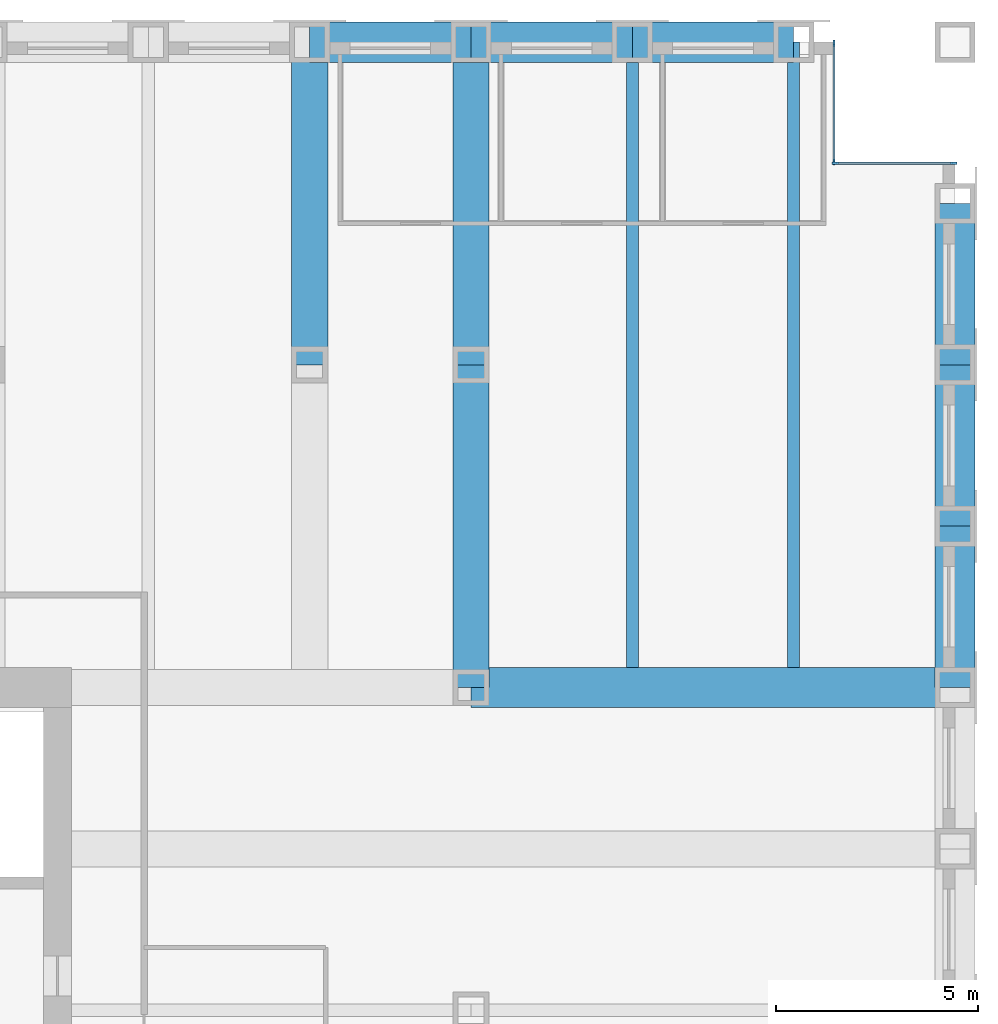
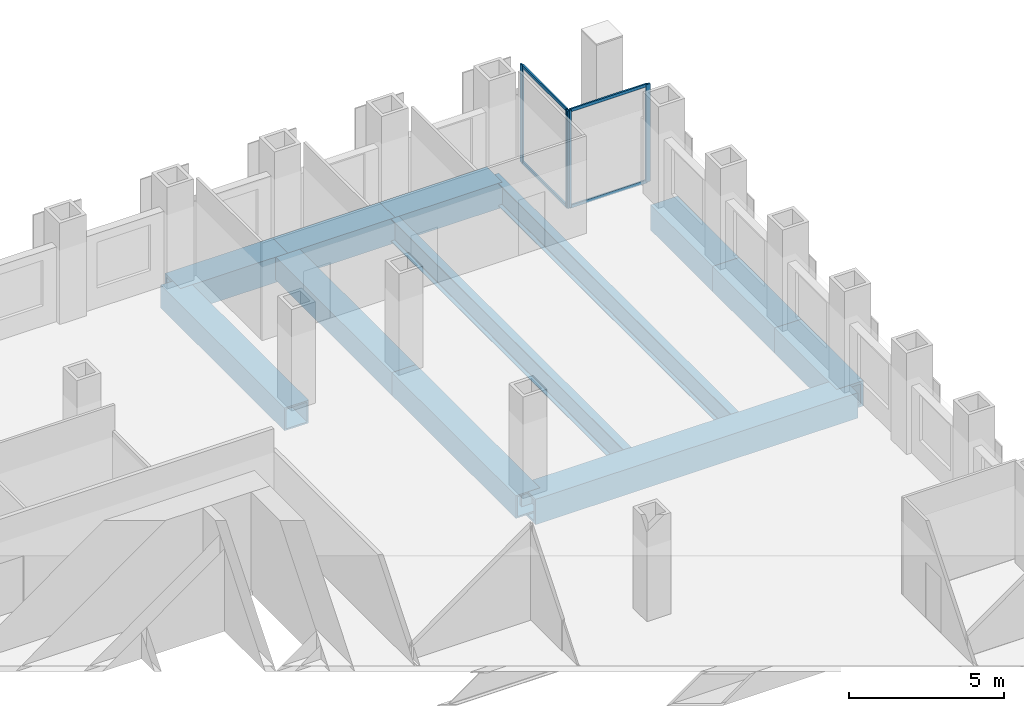
# One storey, part 9 of 16: 12 beams, 8 members, 2 elements without a shape of their own.
"""IFC4 building model written with IfcOpenShell, lengths in metres."""

from ifc_helpers import new_model, si_unit, direction, frame, origin, origin_2d, place, context, subcontext, project, spatial, rectangle, hollow_rectangle, i_section, extrude, material, material_profile, profile_set, type_object, element, aggregate, save


model = new_model("IFC4")

# Units and contexts
model_context = context("Model", 3, precision=1e-05, world=origin(), true_north=direction((0.0, 1.0)))
body_context = subcontext(model_context, "Body", "Model", "MODEL_VIEW")
ifc_project = project(units=[si_unit("LENGTHUNIT", "METRE"), si_unit("AREAUNIT", "SQUARE_METRE"), si_unit("VOLUMEUNIT", "CUBIC_METRE"), si_unit("PLANEANGLEUNIT", "RADIAN"), si_unit("MASSUNIT", "GRAM", prefix="KILO")], contexts=[model_context])

# Site, building, storey
site_placement = place(None, origin())
site = spatial("IfcSite", under=ifc_project, at=site_placement, CompositionType="ELEMENT")
building_placement = place(site_placement, origin())
building = spatial("IfcBuilding", under=site, at=building_placement, Name="Rimbunsela Tower", CompositionType="ELEMENT")
storey_placement = place(building_placement, frame((0.0, 0.0, 133.39990234375)))
storey = spatial("IfcBuildingStorey", under=building, at=storey_placement, Name="L32", CompositionType="ELEMENT", Elevation=133.39990234375)

# Beams
ifc_material_1 = material(Name="Steel BJ 55 (fy 410 MPa)", Category="steel")
ifc_material_profile_1 = material_profile(ifc_material_1, hollow_rectangle(XDim=1.0, YDim=1.0, WallThickness=0.10009765625, at=origin_2d()), Name="BOX 1000x1000x100")
ifc_profile_set_1 = profile_set([ifc_material_profile_1], Name="Steel BJ 55 (fy 410 MPa)")
beam_type_1 = type_object("IfcBeamType", Name="Beam BOX 1000x1000x100", PredefinedType="BEAM", material=ifc_profile_set_1)
beam_1_placement = place(storey_placement, frame((42.0, 52.0, -0.64990234375), z_axis=(1.0, 0.0, 0.0), x_axis=(0.0, 1.0, 0.0)))
element("IfcBeam", 1, at=beam_1_placement, inside=storey, type_object=beam_type_1, Name="Beam B3 L32", PredefinedType="BEAM", context=body_context, shape_type="SweptSolid", body=[
    extrude(hollow_rectangle(XDim=1.0, YDim=1.0, WallThickness=0.10009765625, at=origin_2d()), origin(), (0.0, 0.0, 1.0), 4.0),
])
beam_2_placement = place(storey_placement, frame((46.0, 36.0, -0.64990234375), z_axis=(1.0, 0.0, 0.0), x_axis=(0.0, 1.0, 0.0)))
element("IfcBeam", 2, at=beam_2_placement, inside=storey, type_object=beam_type_1, Name="Beam B3 L32", PredefinedType="BEAM", context=body_context, shape_type="SweptSolid", body=[
    extrude(hollow_rectangle(XDim=1.0, YDim=1.0, WallThickness=0.10009765625, at=origin_2d()), origin(), (0.0, 0.0, 1.0), 12.0),
])
for number, where, z_axis, x_axis, name in (
    (3, (46.0, 52.0, -0.64990234375), (1.0, 0.0, 0.0), (0.0, 1.0, 0.0), "Beam B3 L32"),
    (4, (50.0, 52.0, -0.64990234375), (1.0, 0.0, 0.0), (0.0, 1.0, 0.0), "Beam B3 L32"),
    (5, (58.0, 36.0, -0.64990234375), (0.0, 1.0, 0.0), (-1.0, 0.0, 0.0), "Beam B3 L32"),
    (6, (58.0, 40.0, -0.64990234375), (0.0, 1.0, 0.0), (-1.0, 0.0, 0.0), "Beam B3 L32"),
    (7, (58.0, 44.0, -0.64990234375), (0.0, 1.0, 0.0), (-1.0, 0.0, 0.0), "Beam B3 L32"),
):
    element("IfcBeam", number, at=place(storey_placement, frame(where, z_axis=z_axis, x_axis=x_axis)), inside=storey, type_object=beam_type_1, Name=name, PredefinedType="BEAM", context=body_context, shape_type="SweptSolid", body=[
        extrude(hollow_rectangle(XDim=1.0, YDim=1.0, WallThickness=0.10009765625, at=origin_2d()), origin(), (0.0, 0.0, 1.0), 4.0),
    ])
ifc_material_2 = material(Name="Steel BJ 55 (fy 410 MPa)", Category="steel")
ifc_material_profile_2 = material_profile(ifc_material_2, hollow_rectangle(XDim=0.89990234375, YDim=0.89990234375, WallThickness=0.06005859375, at=origin_2d()), Name="BOX 900x900x60")
ifc_profile_set_2 = profile_set([ifc_material_profile_2], Name="Steel BJ 55 (fy 410 MPa)")
beam_type_2 = type_object("IfcBeamType", Name="Beam BOX 900x900x60", PredefinedType="BEAM", material=ifc_profile_set_2)
for number, where, z_axis, x_axis, name in (
    (8, (42.0, 44.0, -0.599853515625), (0.0, 1.0, 0.0), (-1.0, 0.0, 0.0), "Beam B1 L32"),
    (9, (46.0, 36.0, -0.599853515625), (0.0, 1.0, 0.0), (-1.0, 0.0, 0.0), "Beam B1 L32"),
    (10, (46.0, 44.0, -0.599853515625), (0.0, 1.0, 0.0), (-1.0, 0.0, 0.0), "Beam B1 L32"),
):
    element("IfcBeam", number, at=place(storey_placement, frame(where, z_axis=z_axis, x_axis=x_axis)), inside=storey, type_object=beam_type_2, Name=name, PredefinedType="BEAM", context=body_context, shape_type="SweptSolid", body=[
        extrude(hollow_rectangle(XDim=0.89990234375, YDim=0.89990234375, WallThickness=0.06005859375, at=origin_2d()), origin(), (0.0, 0.0, 1.0), 8.0),
    ])
ifc_material_3 = material(Name="Steel BJ 55 (fy 410 MPa)", Category="steel")
ifc_material_profile_3 = material_profile(ifc_material_3, i_section(OverallWidth=0.300048828125, OverallDepth=0.89990234375, WebThickness=0.01611328125, FlangeThickness=0.028076171875, FilletRadius=0.028076171875, at=origin_2d()), Name="H 900x300x16x28")
ifc_profile_set_3 = profile_set([ifc_material_profile_3], Name="Steel BJ 55 (fy 410 MPa)")
beam_type_3 = type_object("IfcBeamType", Name="Beam H 900x300x16x28", PredefinedType="BEAM", material=ifc_profile_set_3)
for number, where, z_axis, x_axis, name in (
    (11, (50.0, 36.5, -0.599853515625), (0.0, 1.0, 0.0), (-1.0, 0.0, 0.0), "Beam B2 L32"),
    (12, (54.0, 36.5, -0.599853515625), (0.0, 1.0, 0.0), (-1.0, 0.0, 0.0), "Beam B2 L32"),
):
    element("IfcBeam", number, at=place(storey_placement, frame(where, z_axis=z_axis, x_axis=x_axis)), inside=storey, type_object=beam_type_3, Name=name, PredefinedType="BEAM", context=body_context, shape_type="SweptSolid", body=[
        extrude(i_section(OverallWidth=0.300048828125, OverallDepth=0.89990234375, WebThickness=0.01611328125, FlangeThickness=0.028076171875, FilletRadius=0.028076171875, at=origin_2d()), origin(), (0.0, 0.0, 1.0), 15.5),
    ])

# Curtain wall, members
ifc_material_4 = material(Name="Aluminium curtain wall", Category="aluminium")
curtain_wall_type = type_object("IfcCurtainWallType", Name="Corner glazing", PredefinedType="USERDEFINED", material=ifc_material_4)
curtain_wall_1_placement = place(storey_placement, origin())
curtain_wall_1 = element("IfcCurtainWall", 13, at=curtain_wall_1_placement, inside=storey, type_object=curtain_wall_type, Name="Corner glazing L32", ObjectType="CORNER GLAZING", PredefinedType="USERDEFINED")
ifc_material_5 = material(Name="Aluminium mullion", Category="aluminium")
ifc_material_profile_4 = material_profile(ifc_material_5, rectangle(XDim=0.06005859375, YDim=0.159912109375, at=origin_2d()), Name="Mullion 60x160")
ifc_profile_set_4 = profile_set([ifc_material_profile_4], Name="Aluminium mullion")
member_type_1 = type_object("IfcMemberType", Name="Curtain wall mullion 60x160", PredefinedType="MULLION", material=ifc_profile_set_4)
member_1_placement = place(storey_placement, frame((57.969970703125, 49.0, 0.0), z_axis=(0.0, 0.0, 1.0), x_axis=(0.0, -1.0, 0.0)))
member_1 = element("IfcMember", 14, at=member_1_placement, type_object=member_type_1, Name="CW5 mullion 1", PredefinedType="MULLION", context=body_context, shape_type="SweptSolid", body=[
    extrude(rectangle(XDim=0.06005859375, YDim=0.159912109375, at=origin_2d()), origin(), (0.0, 0.0, 1.0), 3.85009765625),
])
member_2_placement = place(storey_placement, frame((55.030029296875, 49.0, 0.0), z_axis=(0.0, 0.0, 1.0), x_axis=(0.0, -1.0, 0.0)))
member_2 = element("IfcMember", 15, at=member_2_placement, type_object=member_type_1, Name="CW5 mullion 2", PredefinedType="MULLION", context=body_context, shape_type="SweptSolid", body=[
    extrude(rectangle(XDim=0.06005859375, YDim=0.159912109375, at=origin_2d()), origin(), (0.0, 0.0, 1.0), 3.85009765625),
])

curtain_wall_2_placement = place(storey_placement, origin())
curtain_wall_2 = element("IfcCurtainWall", 16, at=curtain_wall_2_placement, inside=storey, type_object=curtain_wall_type, Name="Corner glazing L32", ObjectType="CORNER GLAZING", PredefinedType="USERDEFINED")
member_3_placement = place(storey_placement, frame((55.0, 49.030029296875, 0.0), z_axis=(0.0, 0.0, 1.0), x_axis=(-1.0, 0.0, 0.0)))
member_3 = element("IfcMember", 17, at=member_3_placement, type_object=member_type_1, Name="CW5 mullion 1", PredefinedType="MULLION", context=body_context, shape_type="SweptSolid", body=[
    extrude(rectangle(XDim=0.06005859375, YDim=0.159912109375, at=origin_2d()), origin(), (0.0, 0.0, 1.0), 3.85009765625),
])
member_4_placement = place(storey_placement, frame((55.0, 51.969970703125, 0.0), z_axis=(0.0, 0.0, 1.0), x_axis=(-1.0, 0.0, 0.0)))
member_4 = element("IfcMember", 18, at=member_4_placement, type_object=member_type_1, Name="CW5 mullion 2", PredefinedType="MULLION", context=body_context, shape_type="SweptSolid", body=[
    extrude(rectangle(XDim=0.06005859375, YDim=0.159912109375, at=origin_2d()), origin(), (0.0, 0.0, 1.0), 3.85009765625),
])

# Member
ifc_material_6 = material(Name="Aluminium transom", Category="aluminium")
ifc_material_profile_5 = material_profile(ifc_material_6, rectangle(XDim=0.06005859375, YDim=0.1201171875, at=origin_2d()), Name="Transom 60x120")
ifc_profile_set_5 = profile_set([ifc_material_profile_5], Name="Aluminium transom")
member_type_2 = type_object("IfcMemberType", Name="Curtain wall transom 60x120", PredefinedType="USERDEFINED", material=ifc_profile_set_5)
member_5_placement = place(storey_placement, frame((57.93994140625, 49.0, 0.030029296875), z_axis=(-1.0, 0.0, 0.0), x_axis=(0.0, -1.0, 0.0)))
member_5 = element("IfcMember", 19, at=member_5_placement, type_object=member_type_2, Name="CW5 transom 1.1", ObjectType="TRANSOM", PredefinedType="USERDEFINED", context=body_context, shape_type="SweptSolid", body=[
    extrude(rectangle(XDim=0.06005859375, YDim=0.1201171875, at=origin_2d()), origin(), (0.0, 0.0, 1.0), 2.8798828125),
])

member_6_placement = place(storey_placement, frame((57.93994140625, 49.0, 3.820068359375), z_axis=(-1.0, 0.0, 0.0), x_axis=(0.0, -1.0, 0.0)))
member_6 = element("IfcMember", 20, at=member_6_placement, type_object=member_type_2, Name="CW5 transom 1.2", ObjectType="TRANSOM", PredefinedType="USERDEFINED", context=body_context, shape_type="SweptSolid", body=[
    extrude(rectangle(XDim=0.06005859375, YDim=0.1201171875, at=origin_2d()), origin(), (0.0, 0.0, 1.0), 2.8798828125),
])

aggregate(curtain_wall_1, [member_1, member_2, member_5, member_6])

member_7_placement = place(storey_placement, frame((55.0, 49.06005859375, 0.030029296875), z_axis=(0.0, 1.0, 0.0), x_axis=(-1.0, 0.0, 0.0)))
member_7 = element("IfcMember", 21, at=member_7_placement, type_object=member_type_2, Name="CW5 transom 1.1", ObjectType="TRANSOM", PredefinedType="USERDEFINED", context=body_context, shape_type="SweptSolid", body=[
    extrude(rectangle(XDim=0.06005859375, YDim=0.1201171875, at=origin_2d()), origin(), (0.0, 0.0, 1.0), 2.8798828125),
])

member_8_placement = place(storey_placement, frame((55.0, 49.06005859375, 3.820068359375), z_axis=(0.0, 1.0, 0.0), x_axis=(-1.0, 0.0, 0.0)))
member_8 = element("IfcMember", 22, at=member_8_placement, type_object=member_type_2, Name="CW5 transom 1.2", ObjectType="TRANSOM", PredefinedType="USERDEFINED", context=body_context, shape_type="SweptSolid", body=[
    extrude(rectangle(XDim=0.06005859375, YDim=0.1201171875, at=origin_2d()), origin(), (0.0, 0.0, 1.0), 2.8798828125),
])

aggregate(curtain_wall_2, [member_3, member_4, member_7, member_8])

save(model, "model.ifc")
